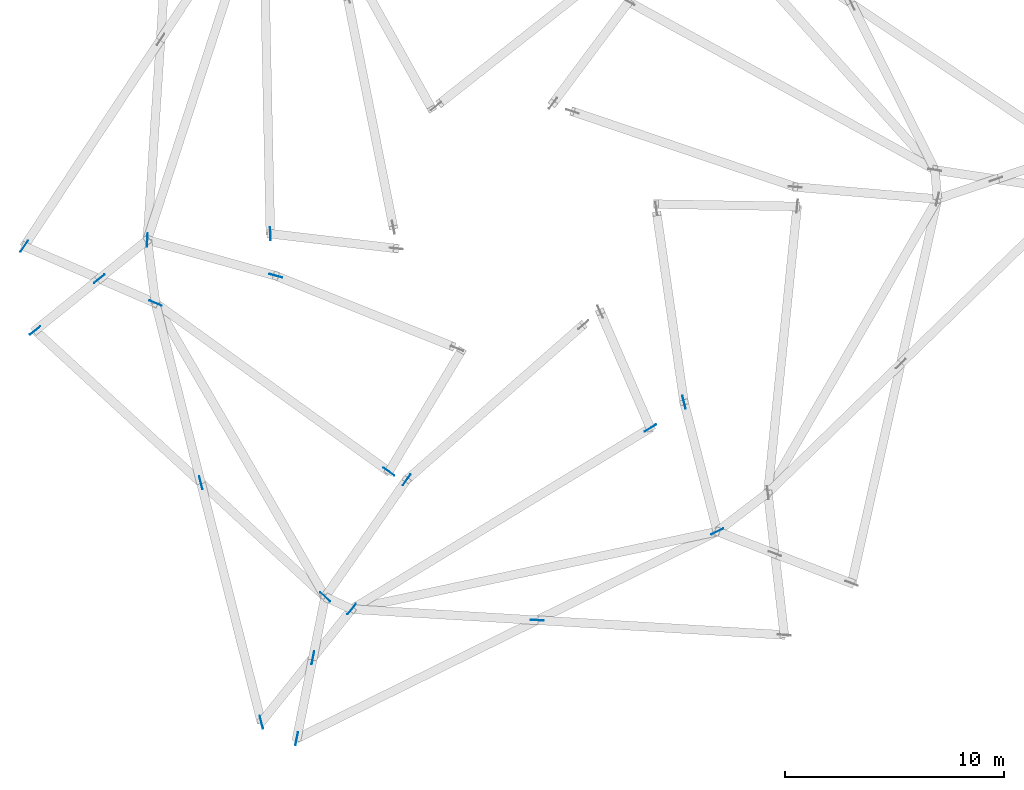
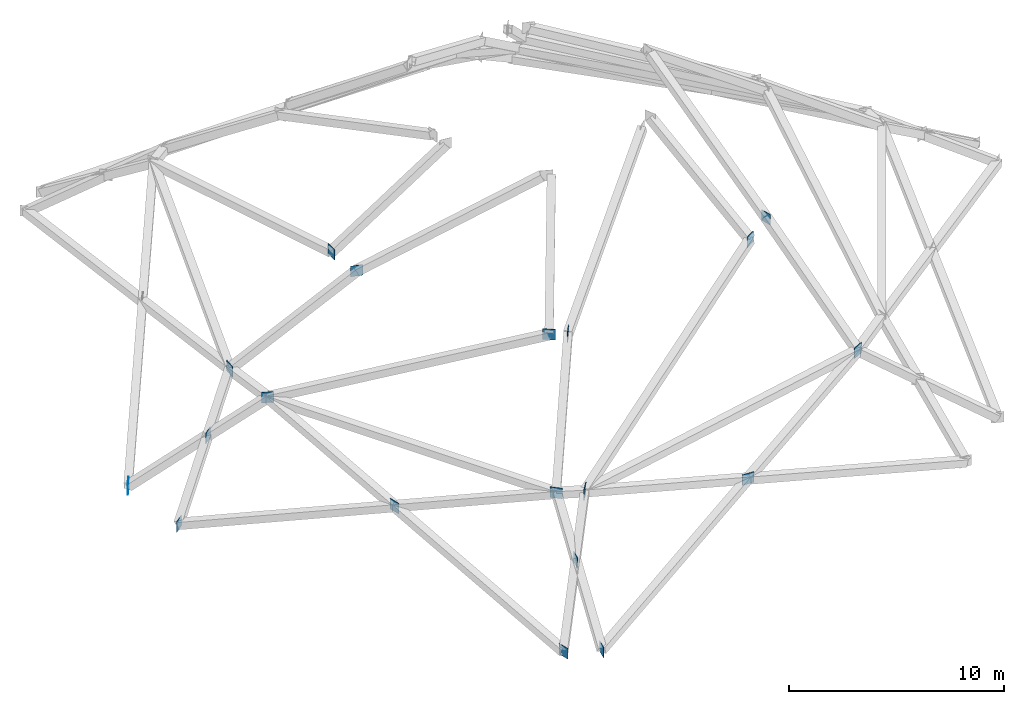
# One storey, part 3 of 6: 19 discrete accessories.
"""IFC4 building model written with IfcOpenShell, lengths in metres."""

from ifc_helpers import new_model, si_unit, direction, frame, origin, origin_2d, place, context, subcontext, project, spatial, rectangle, extrude, material, type_object, element, save


model = new_model("IFC4")

# Units and contexts
model_context = context("Model", 3, precision=1e-05, world=origin(), true_north=direction((0.0, 1.0)))
body_context = subcontext(model_context, "Body", "Model", "MODEL_VIEW")
ifc_project = project(units=[si_unit("LENGTHUNIT", "METRE"), si_unit("AREAUNIT", "SQUARE_METRE"), si_unit("VOLUMEUNIT", "CUBIC_METRE"), si_unit("PLANEANGLEUNIT", "RADIAN"), si_unit("MASSUNIT", "GRAM", prefix="KILO")], contexts=[model_context])

# Site, building, storey
site_placement = place(None, origin())
site = spatial("IfcSite", under=ifc_project, at=site_placement, CompositionType="ELEMENT")
building_placement = place(site_placement, origin())
building = spatial("IfcBuilding", under=site, at=building_placement, Name="Isthmus Gate Tower", CompositionType="ELEMENT")
storey_placement = place(building_placement, frame((0.0, 0.0, 320.10009765625)))
storey = spatial("IfcBuildingStorey", under=building, at=storey_placement, Name="C5", CompositionType="ELEMENT", Elevation=320.10009765625)

# Discrete accessories
ifc_material = material(Name="Structural steel ASTM A992 Gr 50", Category="steel")
discrete_accessory_type = type_object("IfcDiscreteAccessoryType", Name="GUSSET PLATE 600 X 20", PredefinedType="USERDEFINED", material=ifc_material)
for number, where, z_axis, x_axis, name in (
    (1, (-16.837158203125, -0.857666015625, -0.300048828125), (0.0, 0.0, 1.0), (-0.066052163128, -0.997816171319, 0.0), "GUSSET PLATE"),
    (2, (-22.449462890625, -1.1435546875, -4.800048828125), (0.0, 0.0, 1.0), (0.550506932086, 0.834830592231, 0.0), "GUSSET PLATE"),
    (3, (-16.462158203125, -3.73681640625, -0.300048828125), (0.0, 0.0, 1.0), (0.91763729453, -0.397418917123, 0.0), "GUSSET PLATE"),
    (4, (-21.949462890625, -4.982177734375, -4.800048828125), (0.0, 0.0, 1.0), (0.778289656323, 0.627905415537, 0.0), "GUSSET PLATE"),
    (5, (-19.028076171875, -2.62548828125, -2.228759765625), (0.0, 0.0, 1.0), (0.778289656323, 0.627905415537, 0.0), "GUSSET PLATE"),
    (6, (-8.72607421875, -17.1357421875, -0.300048828125), (0.0, 0.0, 1.0), (0.736262045156, -0.676696535283, 0.0), "GUSSET PLATE"),
    (7, (-11.634765625, -22.847900390625, -4.800048828125), (0.0, 0.0, 1.0), (-0.244898831556, 0.969548638441, 0.0), "GUSSET PLATE"),
    (8, (-14.393310546875, -11.92724609375, -2.228759765625), (0.0, 0.0, 1.0), (-0.244898831556, 0.969548638441, 0.0), "GUSSET PLATE"),
    (9, (-7.51513671875, -17.697265625, -0.300048828125), (0.0, 0.0, 1.0), (0.624632538205, 0.78091881282, 0.0), "GUSSET PLATE"),
    (10, (-10.020263671875, -23.596435546875, -4.800048828125), (0.0, 0.0, 1.0), (0.196393455282, 0.980525170876, 0.0), "GUSSET PLATE"),
    (11, (-9.28076171875, -19.904541015625, -2.228759765625), (0.0, 0.0, 1.0), (0.196393455282, 0.980525170876, 0.0), "GUSSET PLATE"),
    (12, (9.161376953125, -14.152587890625, -0.300048828125), (0.0, 0.0, 1.0), (0.897160234233, 0.441705234416, 0.0), "GUSSET PLATE"),
    (13, (0.940673828125, -18.199951171875, -2.228759765625), (0.0, 0.0, 1.0), (-0.998237966771, 0.059337692048, 0.0), "GUSSET PLATE"),
    (14, (-11.224853515625, -0.57177734375, 4.199951171875), (0.0, 0.0, 1.0), (0.021587180569, -0.999766969666, 0.0), "GUSSET PLATE"),
    (15, (-10.974853515625, -2.4912109375, 4.199951171875), (0.0, 0.0, 1.0), (0.963306875789, -0.268402427444, 0.0), "GUSSET PLATE"),
    (16, (-5.8173828125, -11.423828125, 4.199951171875), (0.0, 0.0, 1.0), (0.810702903902, -0.585457770984, 0.0), "GUSSET PLATE"),
    (17, (-5.010009765625, -11.798095703125, 4.199951171875), (0.0, 0.0, 1.0), (0.571366078835, 0.820695317372, 0.0), "GUSSET PLATE"),
    (18, (6.107666015625, -9.43505859375, 4.199951171875), (0.0, 0.0, 1.0), (0.855030003311, 0.518578531602, 0.0), "GUSSET PLATE"),
    (19, (7.644775390625, -8.2587890625, 4.199951171875), (0.0, 0.0, 1.0), (-0.249210117291, 0.968449439795, 0.0), "GUSSET PLATE"),
):
    element("IfcDiscreteAccessory", number, at=place(storey_placement, frame(where, z_axis=z_axis, x_axis=x_axis)), inside=storey, type_object=discrete_accessory_type, Name=name, ObjectType="GUSSET PLATE", PredefinedType="USERDEFINED", context=body_context, shape_type="SweptSolid", body=[
        extrude(rectangle(XDim=0.60009765625, YDim=0.02001953125, at=origin_2d()), origin(), (0.0, 0.0, 1.0), 0.60009765625),
    ])

save(model, "model.ifc")
